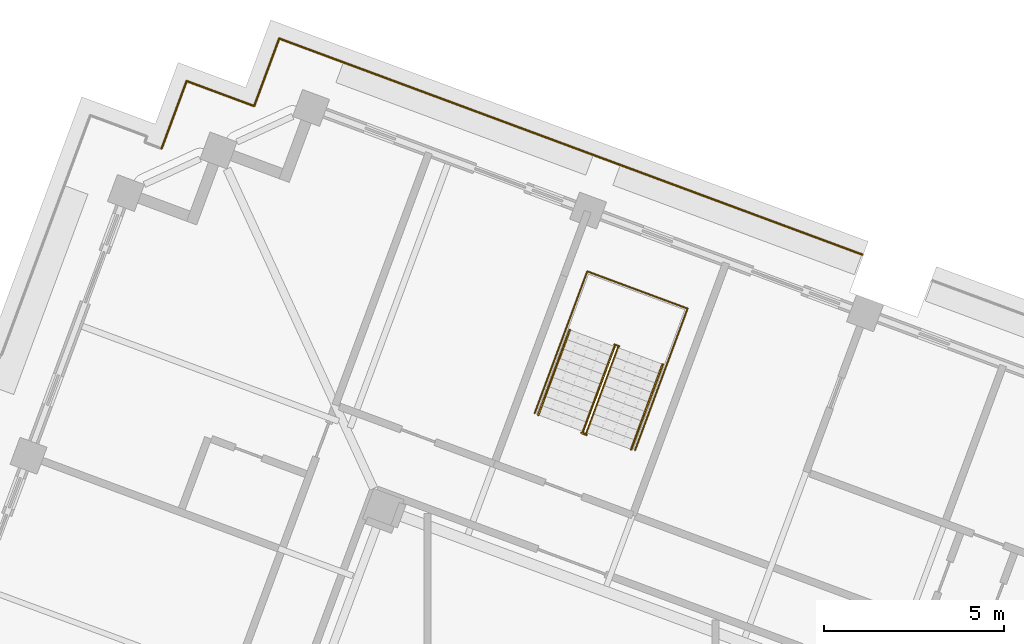
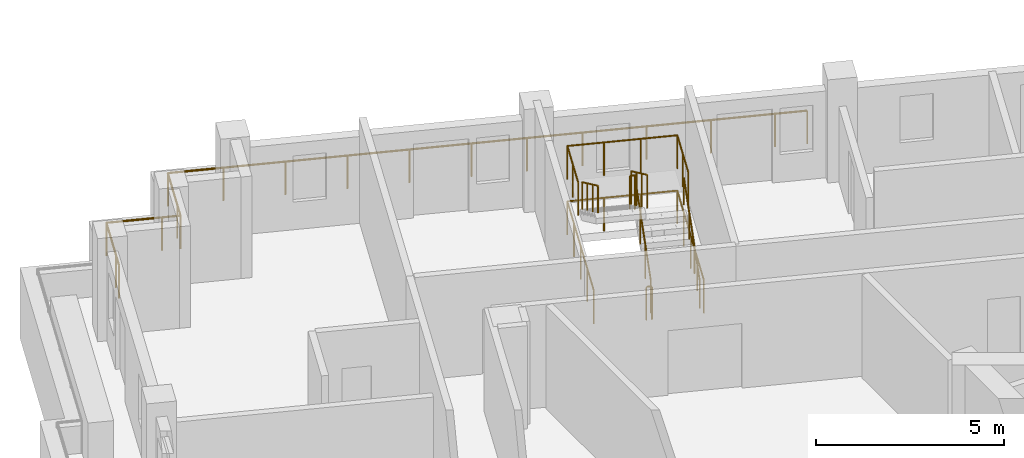
# One storey, part 16 of 18: 8 railings.
"""IFC4 building model written with IfcOpenShell, lengths in metres."""

from ifc_helpers import new_model, si_unit, direction, frame, origin, origin_2d, place, context, subcontext, project, spatial, circle, extrude, material, type_object, element, save


model = new_model("IFC4")

# Units and contexts
model_context = context("Model", 3, precision=1e-05, world=origin(), true_north=direction((0.0, 1.0)))
body_context = subcontext(model_context, "Body", "Model", "MODEL_VIEW")
ifc_project = project(units=[si_unit("LENGTHUNIT", "METRE"), si_unit("AREAUNIT", "SQUARE_METRE"), si_unit("VOLUMEUNIT", "CUBIC_METRE"), si_unit("PLANEANGLEUNIT", "RADIAN"), si_unit("MASSUNIT", "GRAM", prefix="KILO")], contexts=[model_context])

# Site, building, storey
site_placement = place(None, origin())
site = spatial("IfcSite", under=ifc_project, at=site_placement, CompositionType="ELEMENT")
building_placement = place(site_placement, origin())
building = spatial("IfcBuilding", under=site, at=building_placement, Name="Cantera Rosa Tower", CompositionType="ELEMENT")
storey_placement = place(building_placement, frame((0.0, 0.0, 338.5)))
storey = spatial("IfcBuildingStorey", under=building, at=storey_placement, Name="L76", CompositionType="ELEMENT", Elevation=338.5)

# Railings
ifc_material_1 = material(Name="Stainless steel and laminated glass", Category="steel")
railing_type_1 = type_object("IfcRailingType", Name="GUARD 1100", PredefinedType="BALUSTRADE", material=ifc_material_1)
railing_1_placement = place(storey_placement, frame((-11.380126953125, 26.559326171875, 0.0)))
element("IfcRailing", 1, at=railing_1_placement, inside=storey, type_object=railing_type_1, Name="GUARD L76-5", PredefinedType="BALUSTRADE", context=body_context, shape_type="SweptSolid", body=[
    extrude(circle(Radius=0.030029296875, at=origin_2d()), frame((0.0, 0.0, 1.070068359375), z_axis=(0.347107644204, 0.937825294677, 0.0), x_axis=(-0.937825294677, 0.347107644204, 0.0)), (0.0, 0.0, 1.0), 0.5),
    extrude(circle(Radius=0.030029296875, at=origin_2d()), frame((0.173583984375, 0.468994140625, 1.070068359375), z_axis=(0.347499887537, 0.937680024402, 0.0), x_axis=(-0.937680024402, 0.347499887537, 0.0)), (0.0, 0.0, 1.0), 1.5),
    extrude(circle(Radius=0.030029296875, at=origin_2d()), frame((0.69482421875, 1.87548828125, 1.070068359375), z_axis=(0.937680024402, -0.347499887537, 0.0), x_axis=(0.347499887537, 0.937680024402, 0.0)), (0.0, 0.0, 1.0), 1.5),
    extrude(circle(Radius=0.030029296875, at=origin_2d()), frame((2.101318359375, 1.354248046875, 1.070068359375), z_axis=(0.937666302575, -0.34753691173, 0.0), x_axis=(0.34753691173, 0.937666302575, 0.0)), (0.0, 0.0, 1.0), 0.500244140625),
    extrude(circle(Radius=0.030029296875, at=origin_2d()), frame((2.5703125, 1.180419921875, 1.070068359375), z_axis=(0.347107644204, 0.937825294677, 0.0), x_axis=(-0.937825294677, 0.347107644204, 0.0)), (0.0, 0.0, 1.0), 0.5),
    extrude(circle(Radius=0.030029296875, at=origin_2d()), frame((2.743896484375, 1.6494140625, 1.070068359375), z_axis=(0.347499887537, 0.937680024402, 0.0), x_axis=(-0.937680024402, 0.347499887537, 0.0)), (0.0, 0.0, 1.0), 1.5),
    extrude(circle(Radius=0.030029296875, at=origin_2d()), frame((3.26513671875, 3.055908203125, 1.070068359375), z_axis=(0.937680024402, -0.347499887537, 0.0), x_axis=(0.347499887537, 0.937680024402, 0.0)), (0.0, 0.0, 1.0), 1.5),
    extrude(circle(Radius=0.030029296875, at=origin_2d()), frame((4.671630859375, 2.53466796875, 1.070068359375), z_axis=(0.937686328856, -0.347482875373, 0.0), x_axis=(0.347482875373, 0.937686328856, 0.0)), (0.0, 0.0, 1.0), 6.699951171875),
    extrude(circle(Radius=0.030029296875, at=origin_2d()), frame((10.9541015625, 0.20654296875, 1.070068359375), z_axis=(0.93768985062, -0.347473371704, 0.0), x_axis=(0.347473371704, 0.93768985062, 0.0)), (0.0, 0.0, 1.0), 3.000244140625),
    extrude(circle(Radius=0.030029296875, at=origin_2d()), frame((13.767333984375, -0.8359375, 1.070068359375), z_axis=(0.937688147358, -0.347477968085, 0.0), x_axis=(0.347477968085, 0.937688147358, 0.0)), (0.0, 0.0, 1.0), 5.199951171875),
    extrude(circle(Radius=0.030029296875, at=origin_2d()), frame((18.643310546875, -2.642822265625, 1.070068359375), z_axis=(0.937694580373, -0.347460607753, 0.0), x_axis=(0.347460607753, 0.937694580373, 0.0)), (0.0, 0.0, 1.0), 0.869873046875),
    extrude(circle(Radius=0.02490234375, at=origin_2d()), origin(), (0.0, 0.0, 1.0), 1.0400390625),
    extrude(circle(Radius=0.02490234375, at=origin_2d()), frame((0.173583984375, 0.468994140625, 0.0)), (0.0, 0.0, 1.0), 1.0400390625),
    extrude(circle(Radius=0.02490234375, at=origin_2d()), frame((0.69482421875, 1.87548828125, 0.0)), (0.0, 0.0, 1.0), 1.0400390625),
    extrude(circle(Radius=0.02490234375, at=origin_2d()), frame((2.101318359375, 1.354248046875, 0.0)), (0.0, 0.0, 1.0), 1.0400390625),
    extrude(circle(Radius=0.02490234375, at=origin_2d()), frame((2.5703125, 1.180419921875, 0.0)), (0.0, 0.0, 1.0), 1.0400390625),
    extrude(circle(Radius=0.02490234375, at=origin_2d()), frame((2.743896484375, 1.6494140625, 0.0)), (0.0, 0.0, 1.0), 1.0400390625),
    extrude(circle(Radius=0.02490234375, at=origin_2d()), frame((3.26513671875, 3.055908203125, 0.0)), (0.0, 0.0, 1.0), 1.0400390625),
    extrude(circle(Radius=0.02490234375, at=origin_2d()), frame((4.671630859375, 2.53466796875, 0.0)), (0.0, 0.0, 1.0), 1.0400390625),
    extrude(circle(Radius=0.02490234375, at=origin_2d()), frame((6.2421875, 1.95263671875, 0.0)), (0.0, 0.0, 1.0), 1.0400390625),
    extrude(circle(Radius=0.02490234375, at=origin_2d()), frame((7.81298828125, 1.37060546875, 0.0)), (0.0, 0.0, 1.0), 1.0400390625),
    extrude(circle(Radius=0.02490234375, at=origin_2d()), frame((9.383544921875, 0.78857421875, 0.0)), (0.0, 0.0, 1.0), 1.0400390625),
    extrude(circle(Radius=0.02490234375, at=origin_2d()), frame((10.9541015625, 0.20654296875, 0.0)), (0.0, 0.0, 1.0), 1.0400390625),
    extrude(circle(Radius=0.02490234375, at=origin_2d()), frame((12.36083984375, -0.314697265625, 0.0)), (0.0, 0.0, 1.0), 1.0400390625),
    extrude(circle(Radius=0.02490234375, at=origin_2d()), frame((13.767333984375, -0.8359375, 0.0)), (0.0, 0.0, 1.0), 1.0400390625),
    extrude(circle(Radius=0.02490234375, at=origin_2d()), frame((15.392578125, -1.438232421875, 0.0)), (0.0, 0.0, 1.0), 1.0400390625),
    extrude(circle(Radius=0.02490234375, at=origin_2d()), frame((17.01806640625, -2.04052734375, 0.0)), (0.0, 0.0, 1.0), 1.0400390625),
    extrude(circle(Radius=0.02490234375, at=origin_2d()), frame((18.643310546875, -2.642822265625, 0.0)), (0.0, 0.0, 1.0), 1.0400390625),
    extrude(circle(Radius=0.02490234375, at=origin_2d()), frame((19.458984375, -2.945068359375, 0.0)), (0.0, 0.0, 1.0), 1.0400390625),
])
ifc_material_2 = material(Name="Steel S355J2 (EN 10025-2)", Category="steel")
railing_type_2 = type_object("IfcRailingType", Name="STAIR GUARD 1100", PredefinedType="GUARDRAIL", material=ifc_material_2)
railing_2_placement = place(storey_placement, frame((0.412109375, 18.670166015625, 0.179931640625)))
element("IfcRailing", 2, at=railing_2_placement, inside=storey, type_object=railing_type_2, Name="L76 ST-62 stair guard 1", PredefinedType="GUARDRAIL", context=body_context, shape_type="SweptSolid", body=[
    extrude(circle(Radius=0.02392578125, at=origin_2d()), frame((0.0, 0.0, 1.076171875), z_axis=(0.292306804437, 0.788747577403, 0.540771662738), x_axis=(-0.937679794265, 0.347500508527, 0.0)), (0.0, 0.0, 1.0), 2.995849609375),
    extrude(circle(Radius=0.02392578125, at=origin_2d()), frame((0.875732421875, 2.363037109375, 2.6962890625), z_axis=(0.740919573429, 0.671593765389, 0.0), x_axis=(-0.671593765389, 0.740919573429, 0.0)), (0.0, 0.0, 1.0), 0.056396484375),
    extrude(circle(Radius=0.02392578125, at=origin_2d()), frame((0.91748046875, 2.40087890625, 2.6962890625), z_axis=(-0.937925419525, 0.346837004095, 0.0), x_axis=(-0.346837004095, -0.937925419525, 0.0)), (0.0, 0.0, 1.0), 0.14990234375),
    extrude(circle(Radius=0.02099609375, at=origin_2d()), origin(), (0.0, 0.0, 1.0), 1.052001953125),
    extrude(circle(Radius=0.02099609375, at=origin_2d()), frame((0.2919921875, 0.78759765625, 0.5400390625)), (0.0, 0.0, 1.0), 1.052001953125),
    extrude(circle(Radius=0.02099609375, at=origin_2d()), frame((0.583740234375, 1.575439453125, 1.080078125)), (0.0, 0.0, 1.0), 1.052001953125),
    extrude(circle(Radius=0.02099609375, at=origin_2d()), frame((0.875732421875, 2.363037109375, 1.6201171875)), (0.0, 0.0, 1.0), 1.052001953125),
    extrude(circle(Radius=0.02099609375, at=origin_2d()), frame((0.91748046875, 2.40087890625, 1.6201171875)), (0.0, 0.0, 1.0), 1.052001953125),
    extrude(circle(Radius=0.02099609375, at=origin_2d()), frame((0.77685546875, 2.452880859375, 1.6201171875)), (0.0, 0.0, 1.0), 1.052001953125),
])
railing_3_placement = place(storey_placement, frame((1.196044921875, 21.067138671875, 1.97998046875)))
element("IfcRailing", 3, at=railing_3_placement, inside=storey, type_object=railing_type_2, Name="L76 ST-62 stair guard 2", PredefinedType="GUARDRAIL", context=body_context, shape_type="SweptSolid", body=[
    extrude(circle(Radius=0.02392578125, at=origin_2d()), frame((0.0, 0.0, 1.076171875), z_axis=(-0.292306804437, -0.788747577403, 0.540771662738), x_axis=(0.937679794265, -0.347500508527, 0.0)), (0.0, 0.0, 1.0), 2.995849609375),
    extrude(circle(Radius=0.02099609375, at=origin_2d()), origin(), (0.0, 0.0, 1.0), 1.052001953125),
    extrude(circle(Radius=0.02099609375, at=origin_2d()), frame((-0.2919921875, -0.78759765625, 0.5400390625)), (0.0, 0.0, 1.0), 1.052001953125),
    extrude(circle(Radius=0.02099609375, at=origin_2d()), frame((-0.583740234375, -1.575439453125, 1.080078125)), (0.0, 0.0, 1.0), 1.052001953125),
    extrude(circle(Radius=0.02099609375, at=origin_2d()), frame((-0.875732421875, -2.363037109375, 1.6201171875)), (0.0, 0.0, 1.0), 1.052001953125),
])
railing_4_placement = place(storey_placement, frame((0.419189453125, 18.6142578125, 0.0)))
element("IfcRailing", 4, at=railing_4_placement, inside=storey, type_object=railing_type_2, Name="L76 ST-62 stair guard 3", PredefinedType="GUARDRAIL", context=body_context, shape_type="SweptSolid", body=[
    extrude(circle(Radius=0.02392578125, at=origin_2d()), frame((0.0, 0.0, 1.076171875), z_axis=(-0.937925419525, 0.346837004095, 0.0), x_axis=(-0.346837004095, -0.937925419525, 0.0)), (0.0, 0.0, 1.0), 0.14990234375),
    extrude(circle(Radius=0.02099609375, at=origin_2d()), origin(), (0.0, 0.0, 1.0), 1.052001953125),
    extrude(circle(Radius=0.02099609375, at=origin_2d()), frame((-0.140625, 0.052001953125, 0.0)), (0.0, 0.0, 1.0), 1.052001953125),
])
railing_5_placement = place(storey_placement, frame((1.762939453125, 18.182373046875, 0.0)))
element("IfcRailing", 5, at=railing_5_placement, inside=storey, type_object=railing_type_2, Name="L76 ST-62 stair guard 4", PredefinedType="GUARDRAIL", context=body_context, shape_type="SweptSolid", body=[
    extrude(circle(Radius=0.02392578125, at=origin_2d()), frame((0.0, 0.0, 1.076171875), z_axis=(0.347475346394, 0.937689118871, 0.0), x_axis=(-0.937689118871, 0.347475346394, 0.0)), (0.0, 0.0, 1.0), 4.197998046875),
    extrude(circle(Radius=0.02392578125, at=origin_2d()), frame((1.458740234375, 3.9365234375, 1.076171875), z_axis=(-0.937690243436, 0.347472311651, 0.0), x_axis=(-0.347472311651, -0.937690243436, 0.0)), (0.0, 0.0, 1.0), 2.969970703125),
    extrude(circle(Radius=0.02392578125, at=origin_2d()), frame((-1.326171875, 4.968505859375, 1.076171875), z_axis=(-0.347475346394, -0.937689118871, 0.0), x_axis=(0.937689118871, -0.347475346394, 0.0)), (0.0, 0.0, 1.0), 4.197998046875),
    extrude(circle(Radius=0.02099609375, at=origin_2d()), origin(), (0.0, 0.0, 1.0), 1.052001953125),
    extrude(circle(Radius=0.02099609375, at=origin_2d()), frame((0.36474609375, 0.984130859375, 0.0)), (0.0, 0.0, 1.0), 1.052001953125),
    extrude(circle(Radius=0.02099609375, at=origin_2d()), frame((0.7294921875, 1.96826171875, 0.0)), (0.0, 0.0, 1.0), 1.052001953125),
    extrude(circle(Radius=0.02099609375, at=origin_2d()), frame((1.093994140625, 2.952392578125, 0.0)), (0.0, 0.0, 1.0), 1.052001953125),
    extrude(circle(Radius=0.02099609375, at=origin_2d()), frame((1.458740234375, 3.9365234375, 0.0)), (0.0, 0.0, 1.0), 1.052001953125),
    extrude(circle(Radius=0.02099609375, at=origin_2d()), frame((0.530517578125, 4.280517578125, 0.0)), (0.0, 0.0, 1.0), 1.052001953125),
    extrude(circle(Radius=0.02099609375, at=origin_2d()), frame((-0.39794921875, 4.62451171875, 0.0)), (0.0, 0.0, 1.0), 1.052001953125),
    extrude(circle(Radius=0.02099609375, at=origin_2d()), frame((-1.326171875, 4.968505859375, 0.0)), (0.0, 0.0, 1.0), 1.052001953125),
    extrude(circle(Radius=0.02099609375, at=origin_2d()), frame((-1.69091796875, 3.984375, 0.0)), (0.0, 0.0, 1.0), 1.052001953125),
    extrude(circle(Radius=0.02099609375, at=origin_2d()), frame((-2.0556640625, 3.000244140625, 0.0)), (0.0, 0.0, 1.0), 1.052001953125),
    extrude(circle(Radius=0.02099609375, at=origin_2d()), frame((-2.420166015625, 2.01611328125, 0.0)), (0.0, 0.0, 1.0), 1.052001953125),
    extrude(circle(Radius=0.02099609375, at=origin_2d()), frame((-2.784912109375, 1.031982421875, 0.0)), (0.0, 0.0, 1.0), 1.052001953125),
])
railing_6_placement = place(storey_placement, frame((2.630126953125, 20.52294921875, 1.800048828125)))
element("IfcRailing", 6, at=railing_6_placement, inside=storey, type_object=railing_type_2, Name="L76 ST-62 stair guard 5", PredefinedType="GUARDRAIL", context=body_context, shape_type="SweptSolid", body=[
    extrude(circle(Radius=0.02392578125, at=origin_2d()), frame((0.0, 0.0, 1.076171875), z_axis=(0.347552602091, 0.937660486946, 0.0), x_axis=(-0.937660486946, 0.347552602091, 0.0)), (0.0, 0.0, 1.0), 1.7021484375),
    extrude(circle(Radius=0.02392578125, at=origin_2d()), frame((0.591552734375, 1.595947265625, 1.076171875), z_axis=(-0.937690243436, 0.347472311651, 0.0), x_axis=(-0.347472311651, -0.937690243436, 0.0)), (0.0, 0.0, 1.0), 2.969970703125),
    extrude(circle(Radius=0.02392578125, at=origin_2d()), frame((-2.193359375, 2.6279296875, 1.076171875), z_axis=(-0.347552602091, -0.937660486946, 0.0), x_axis=(0.937660486946, -0.347552602091, 0.0)), (0.0, 0.0, 1.0), 1.7021484375),
    extrude(circle(Radius=0.02099609375, at=origin_2d()), origin(), (0.0, 0.0, 1.0), 1.052001953125),
    extrude(circle(Radius=0.02099609375, at=origin_2d()), frame((0.2958984375, 0.7978515625, 0.0)), (0.0, 0.0, 1.0), 1.052001953125),
    extrude(circle(Radius=0.02099609375, at=origin_2d()), frame((0.591552734375, 1.595947265625, 0.0)), (0.0, 0.0, 1.0), 1.052001953125),
    extrude(circle(Radius=0.02099609375, at=origin_2d()), frame((-0.336669921875, 1.93994140625, 0.0)), (0.0, 0.0, 1.0), 1.052001953125),
    extrude(circle(Radius=0.02099609375, at=origin_2d()), frame((-1.26513671875, 2.283935546875, 0.0)), (0.0, 0.0, 1.0), 1.052001953125),
    extrude(circle(Radius=0.02099609375, at=origin_2d()), frame((-2.193359375, 2.6279296875, 0.0)), (0.0, 0.0, 1.0), 1.052001953125),
    extrude(circle(Radius=0.02099609375, at=origin_2d()), frame((-2.4892578125, 1.830078125, 0.0)), (0.0, 0.0, 1.0), 1.052001953125),
    extrude(circle(Radius=0.02099609375, at=origin_2d()), frame((-2.784912109375, 1.031982421875, 0.0)), (0.0, 0.0, 1.0), 1.052001953125),
])
ifc_material_3 = material(Name="Steel S355J2 (EN 10025-2)", Category="steel")
railing_type_3 = type_object("IfcRailingType", Name="STAIR HANDRAIL 900", PredefinedType="HANDRAIL", material=ifc_material_3)
railing_7_placement = place(storey_placement, frame((1.655517578125, 18.20947265625, 0.179931640625)))
element("IfcRailing", 7, at=railing_7_placement, inside=storey, type_object=railing_type_3, Name="L76 ST-62 stair handrail 1", PredefinedType="HANDRAIL", context=body_context, shape_type="SweptSolid", body=[
    extrude(circle(Radius=0.02392578125, at=origin_2d()), frame((0.0, 0.0, 0.8759765625), z_axis=(0.292325593449, 0.788716780987, 0.540806422673), x_axis=(-0.937668094043, 0.347532078253, 0.0)), (0.0, 0.0, 1.0), 2.995849609375),
    extrude(circle(Radius=0.02099609375, at=origin_2d()), origin(), (0.0, 0.0, 1.0), 0.851806640625),
    extrude(circle(Radius=0.02099609375, at=origin_2d()), frame((0.2919921875, 0.78759765625, 0.5400390625)), (0.0, 0.0, 1.0), 0.851806640625),
    extrude(circle(Radius=0.02099609375, at=origin_2d()), frame((0.583740234375, 1.5751953125, 1.080078125)), (0.0, 0.0, 1.0), 0.851806640625),
    extrude(circle(Radius=0.02099609375, at=origin_2d()), frame((0.875732421875, 2.36279296875, 1.6201171875)), (0.0, 0.0, 1.0), 0.851806640625),
])
railing_8_placement = place(storey_placement, frame((-0.04736328125, 21.52783203125, 1.97998046875)))
element("IfcRailing", 8, at=railing_8_placement, inside=storey, type_object=railing_type_3, Name="L76 ST-62 stair handrail 2", PredefinedType="HANDRAIL", context=body_context, shape_type="SweptSolid", body=[
    extrude(circle(Radius=0.02392578125, at=origin_2d()), frame((0.0, 0.0, 0.8759765625), z_axis=(-0.292325593449, -0.788716780987, 0.540806422673), x_axis=(0.937668094043, -0.347532078253, 0.0)), (0.0, 0.0, 1.0), 2.995849609375),
    extrude(circle(Radius=0.02099609375, at=origin_2d()), origin(), (0.0, 0.0, 1.0), 0.851806640625),
    extrude(circle(Radius=0.02099609375, at=origin_2d()), frame((-0.2919921875, -0.78759765625, 0.5400390625)), (0.0, 0.0, 1.0), 0.851806640625),
    extrude(circle(Radius=0.02099609375, at=origin_2d()), frame((-0.583740234375, -1.5751953125, 1.080078125)), (0.0, 0.0, 1.0), 0.851806640625),
    extrude(circle(Radius=0.02099609375, at=origin_2d()), frame((-0.875732421875, -2.36279296875, 1.6201171875)), (0.0, 0.0, 1.0), 0.851806640625),
])

save(model, "model.ifc")
